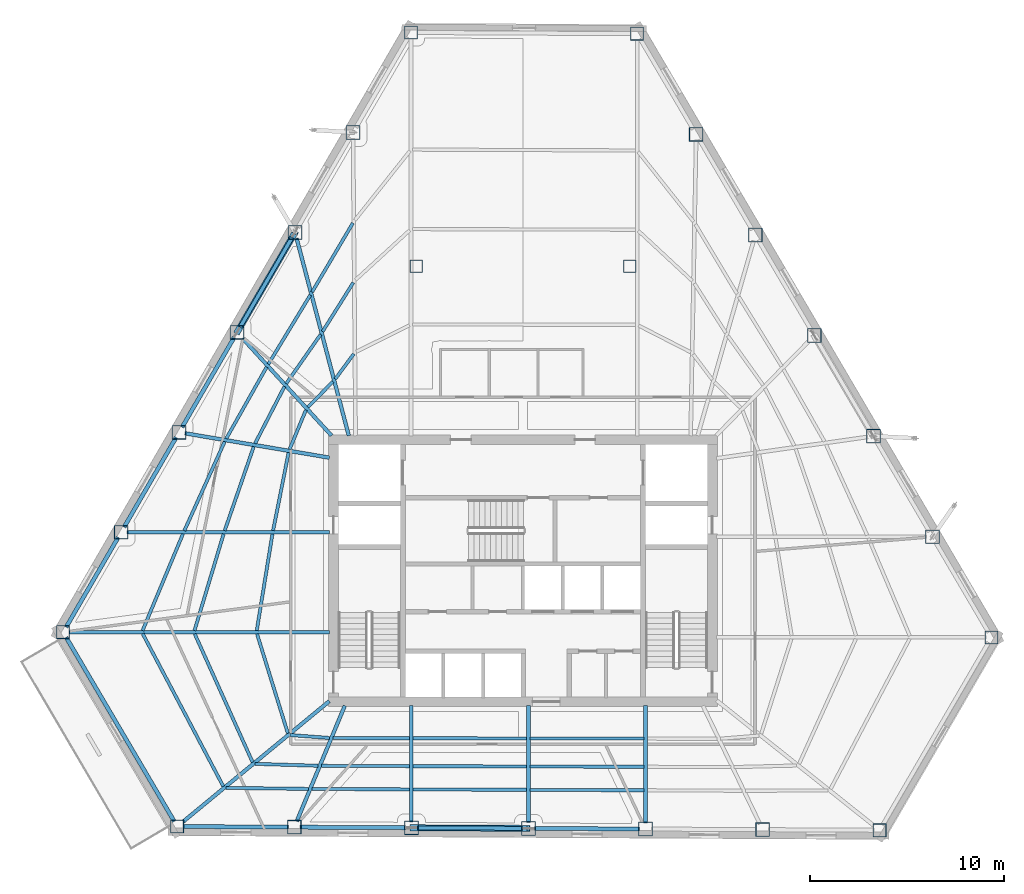
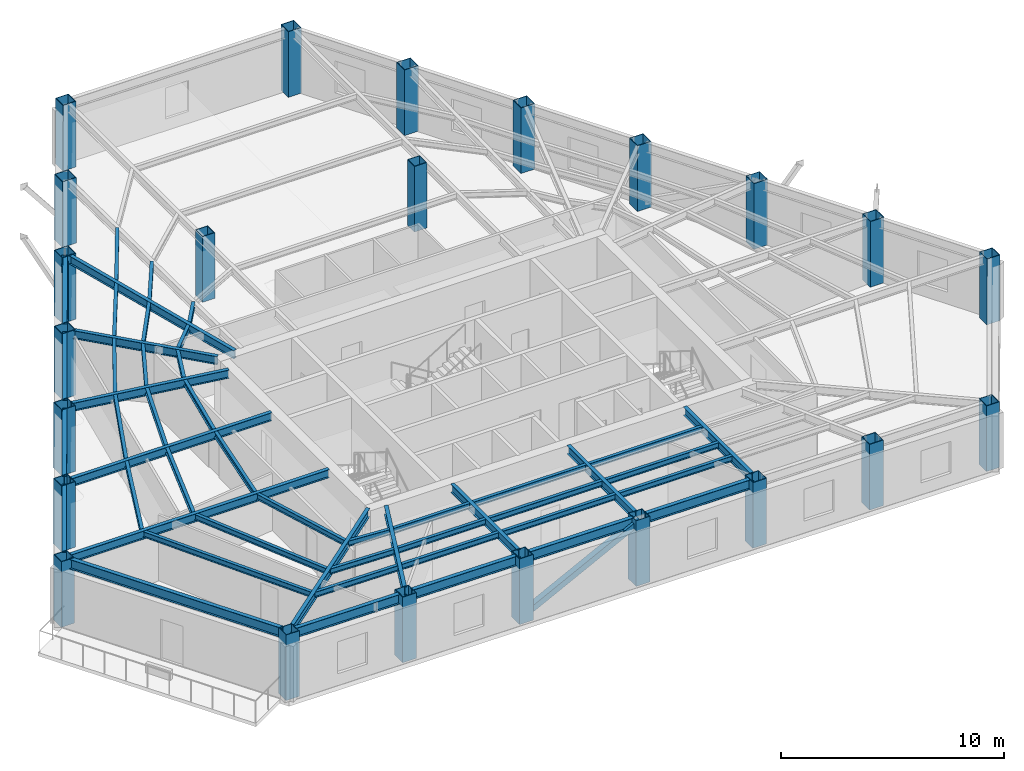
# One storey, part 1 of 13: 49 beams, 23 columns, 2 members.
"""IFC4 building model written with IfcOpenShell, lengths in metres."""

from ifc_helpers import new_model, si_unit, direction, frame, origin, origin_2d, place, context, subcontext, project, spatial, hollow_rectangle, i_section, extrude, material, material_profile, profile_set, type_object, element, save


model = new_model("IFC4")

# Units and contexts
model_context = context("Model", 3, precision=1e-05, world=origin(), true_north=direction((0.0, 1.0)))
body_context = subcontext(model_context, "Body", "Model", "MODEL_VIEW")
ifc_project = project(units=[si_unit("LENGTHUNIT", "METRE"), si_unit("AREAUNIT", "SQUARE_METRE"), si_unit("VOLUMEUNIT", "CUBIC_METRE"), si_unit("PLANEANGLEUNIT", "RADIAN"), si_unit("MASSUNIT", "GRAM", prefix="KILO")], contexts=[model_context])

# Site, building, storey
site_placement = place(None, origin())
site = spatial("IfcSite", under=ifc_project, at=site_placement, CompositionType="ELEMENT")
building_placement = place(site_placement, origin())
building = spatial("IfcBuilding", under=site, at=building_placement, Name="Kavelnor Concourse Tower", CompositionType="ELEMENT")
storey_placement = place(building_placement, frame((0.0, 0.0, 124.0)))
storey = spatial("IfcBuildingStorey", under=building, at=storey_placement, Name="L31", CompositionType="ELEMENT", Elevation=124.0)

# Columns
ifc_material = material(Name="Steel Grade 350", Category="steel")
ifc_material_profile_1 = material_profile(ifc_material, hollow_rectangle(XDim=0.679931640625, YDim=0.679931640625, WallThickness=0.030029296875, at=origin_2d()), Name="SHS 680x680x30")
ifc_profile_set_1 = profile_set([ifc_material_profile_1], Name="Steel Grade 350")
column_type_1 = type_object("IfcColumnType", Name="COL-FOLD-Z2", PredefinedType="COLUMN", material=ifc_profile_set_1)
for number, where, z_axis, x_axis, name in (
    (1, (32.225830078125, 43.853759765625, 0.0), (0.0, 0.0, 1.0), (1.0, 0.0, 0.0), "L31 Perimeter Corner-Fold Column F0-B0"),
    (2, (14.289794921875, 12.929443359375, 0.0), (0.0, 0.0, 1.0), (1.0, 0.0, 0.0), "L31 Perimeter Corner-Fold Column F0-B6"),
    (3, (20.172607421875, 2.910400390625, 0.0), (0.0, 0.0, 1.0), (1.0, 0.0, 0.0), "L31 Perimeter Corner-Fold Column F1-B0"),
    (4, (56.39453125, 2.716552734375, 0.0), (0.0, 0.0, 1.0), (1.0, 0.0, 0.0), "L31 Perimeter Corner-Fold Column F1-B6"),
    (5, (62.164306640625, 12.664306640625, 0.0), (0.0, 0.0, 1.0), (1.0, 0.0, 0.0), "L31 Perimeter Corner-Fold Column F2-B0"),
    (6, (43.887451171875, 43.79150390625, 0.0), (0.0, 0.0, 1.0), (1.0, 0.0, 0.0), "L31 Perimeter Corner-Fold Column F2-B6"),
):
    element("IfcColumn", number, at=place(storey_placement, frame(where, z_axis=z_axis, x_axis=x_axis)), inside=storey, type_object=column_type_1, Name=name, PredefinedType="COLUMN", context=body_context, shape_type="SweptSolid", body=[
        extrude(hollow_rectangle(XDim=0.679931640625, YDim=0.679931640625, WallThickness=0.030029296875, at=origin_2d()), origin(), (0.0, 0.0, 1.0), 3.60009765625),
    ])
ifc_material_profile_2 = material_profile(ifc_material, hollow_rectangle(XDim=0.719970703125, YDim=0.719970703125, WallThickness=0.031982421875, at=origin_2d()), Name="SHS 720x720x32")
ifc_profile_set_2 = profile_set([ifc_material_profile_2], Name="Steel Grade 350")
column_type_2 = type_object("IfcColumnType", Name="COL-TUBE-Z2", PredefinedType="COLUMN", material=ifc_profile_set_2)
for number, where, z_axis, x_axis, name in (
    (7, (29.236328125, 38.69970703125, 0.0), (0.0, 0.0, 1.0), (1.0, 0.0, 0.0), "L31 Perimeter Framed-Tube Column F0-B1"),
    (8, (26.2470703125, 33.545654296875, 0.0), (0.0, 0.0, 1.0), (1.0, 0.0, 0.0), "L31 Perimeter Framed-Tube Column F0-B2"),
    (9, (23.2578125, 28.3916015625, 0.0), (0.0, 0.0, 1.0), (1.0, 0.0, 0.0), "L31 Perimeter Framed-Tube Column F0-B3"),
    (10, (20.268310546875, 23.237548828125, 0.0), (0.0, 0.0, 1.0), (1.0, 0.0, 0.0), "L31 Perimeter Framed-Tube Column F0-B4"),
    (11, (17.279052734375, 18.08349609375, 0.0), (0.0, 0.0, 1.0), (1.0, 0.0, 0.0), "L31 Perimeter Framed-Tube Column F0-B5"),
    (12, (26.20947265625, 2.8779296875, 0.0), (0.0, 0.0, 1.0), (1.0, 0.0, 0.0), "L31 Perimeter Framed-Tube Column F1-B1"),
    (13, (32.24658203125, 2.845703125, 0.0), (0.0, 0.0, 1.0), (1.0, 0.0, 0.0), "L31 Perimeter Framed-Tube Column F1-B2"),
    (14, (38.283447265625, 2.8134765625, 0.0), (0.0, 0.0, 1.0), (1.0, 0.0, 0.0), "L31 Perimeter Framed-Tube Column F1-B3"),
    (15, (44.320556640625, 2.781005859375, 0.0), (0.0, 0.0, 1.0), (1.0, 0.0, 0.0), "L31 Perimeter Framed-Tube Column F1-B4"),
    (16, (50.357666015625, 2.748779296875, 0.0), (0.0, 0.0, 1.0), (1.0, 0.0, 0.0), "L31 Perimeter Framed-Tube Column F1-B5"),
    (17, (59.1181640625, 17.852294921875, 0.0), (0.0, 0.0, 1.0), (1.0, 0.0, 0.0), "L31 Perimeter Framed-Tube Column F2-B1"),
    (18, (56.072021484375, 23.0400390625, 0.0), (0.0, 0.0, 1.0), (1.0, 0.0, 0.0), "L31 Perimeter Framed-Tube Column F2-B2"),
    (19, (53.02587890625, 28.227783203125, 0.0), (0.0, 0.0, 1.0), (1.0, 0.0, 0.0), "L31 Perimeter Framed-Tube Column F2-B3"),
    (20, (49.979736328125, 33.415771484375, 0.0), (0.0, 0.0, 1.0), (1.0, 0.0, 0.0), "L31 Perimeter Framed-Tube Column F2-B4"),
    (21, (46.93359375, 38.603515625, 0.0), (0.0, 0.0, 1.0), (1.0, 0.0, 0.0), "L31 Perimeter Framed-Tube Column F2-B5"),
):
    element("IfcColumn", number, at=place(storey_placement, frame(where, z_axis=z_axis, x_axis=x_axis)), inside=storey, type_object=column_type_2, Name=name, PredefinedType="COLUMN", context=body_context, shape_type="SweptSolid", body=[
        extrude(hollow_rectangle(XDim=0.719970703125, YDim=0.719970703125, WallThickness=0.031982421875, at=origin_2d()), origin(), (0.0, 0.0, 1.0), 3.60009765625),
    ])
ifc_material_profile_3 = material_profile(ifc_material, hollow_rectangle(XDim=0.639892578125, YDim=0.639892578125, WallThickness=0.028076171875, at=origin_2d()), Name="SHS 640x640x28")
ifc_profile_set_3 = profile_set([ifc_material_profile_3], Name="Steel Grade 350")
column_type_3 = type_object("IfcColumnType", Name="COL-TUBE-Z3", PredefinedType="COLUMN", material=ifc_profile_set_3)
for number, where, z_axis, x_axis, name in (
    (22, (32.5, 31.800048828125, 0.0), (0.0, 0.0, 1.0), (1.0, 0.0, 0.0), "L31 North Interior Gravity Column BC-NW"),
    (23, (43.5, 31.800048828125, 0.0), (0.0, 0.0, 1.0), (1.0, 0.0, 0.0), "L31 North Interior Gravity Column BC-NE"),
):
    element("IfcColumn", number, at=place(storey_placement, frame(where, z_axis=z_axis, x_axis=x_axis)), inside=storey, type_object=column_type_3, Name=name, PredefinedType="COLUMN", context=body_context, shape_type="SweptSolid", body=[
        extrude(hollow_rectangle(XDim=0.639892578125, YDim=0.639892578125, WallThickness=0.028076171875, at=origin_2d()), origin(), (0.0, 0.0, 1.0), 3.60009765625),
    ])

# Beams
ifc_material_profile_4 = material_profile(ifc_material, i_section(OverallWidth=0.166015625, OverallDepth=0.306884765625, WebThickness=0.006591796875, FlangeThickness=0.01171875, at=origin_2d()), Name="310UB46")
ifc_profile_set_4 = profile_set([ifc_material_profile_4], Name="Steel Grade 350")
beam_type_1 = type_object("IfcBeamType", Name="BM-JOIST-310", PredefinedType="JOIST", material=ifc_profile_set_4)
beam_1_placement = place(storey_placement, frame((24.285888671875, 12.844482421875, 3.446533203125), z_axis=(0.296316228151, -0.955089887359, 0.0), x_axis=(0.955089887359, 0.296316228151, 0.0)))
element("IfcBeam", 24, at=beam_1_placement, inside=storey, type_object=beam_type_1, Name="L31 Secondary Composite Joist 01-1", PredefinedType="JOIST", context=body_context, shape_type="SweptSolid", body=[
    extrude(i_section(OverallWidth=0.166015625, OverallDepth=0.306884765625, WebThickness=0.006591796875, FlangeThickness=0.01171875, at=origin_2d()), origin(), (0.0, 0.0, 1.0), 5.366943359375),
])
beam_2_placement = place(storey_placement, frame((21.07275390625, 12.848388671875, 3.446533203125), z_axis=(0.411046427218, -0.91161441118, 0.0), x_axis=(0.91161441118, 0.411046427218, 0.0)))
element("IfcBeam", 25, at=beam_2_placement, inside=storey, type_object=beam_type_1, Name="L31 Secondary Composite Joist 01-2", PredefinedType="JOIST", context=body_context, shape_type="SweptSolid", body=[
    extrude(i_section(OverallWidth=0.166015625, OverallDepth=0.306884765625, WebThickness=0.006591796875, FlangeThickness=0.01171875, at=origin_2d()), origin(), (0.0, 0.0, 1.0), 7.26513671875),
])
beam_3_placement = place(storey_placement, frame((18.391845703125, 12.8505859375, 3.446533203125), z_axis=(0.467041713759, -0.884235284079, 0.0), x_axis=(0.884235284079, 0.467041713759, 0.0)))
element("IfcBeam", 26, at=beam_3_placement, inside=storey, type_object=beam_type_1, Name="L31 Secondary Composite Joist 01-3", PredefinedType="JOIST", context=body_context, shape_type="SweptSolid", body=[
    extrude(i_section(OverallWidth=0.166015625, OverallDepth=0.306884765625, WebThickness=0.006591796875, FlangeThickness=0.01171875, at=origin_2d()), origin(), (0.0, 0.0, 1.0), 8.899169921875),
])
beam_4_placement = place(storey_placement, frame((25.991455078125, 7.627197265625, 3.446533203125), z_axis=(0.997256013327, -0.074030020146, 0.0), x_axis=(0.074030020146, 0.997256013327, 0.0)))
element("IfcBeam", 27, at=beam_4_placement, inside=storey, type_object=beam_type_1, Name="L31 Secondary Composite Joist 02-1", PredefinedType="JOIST", context=body_context, shape_type="SweptSolid", body=[
    extrude(i_section(OverallWidth=0.166015625, OverallDepth=0.306884765625, WebThickness=0.006591796875, FlangeThickness=0.01171875, at=origin_2d()), origin(), (0.0, 0.0, 1.0), 2.044677734375),
])
beam_5_placement = place(storey_placement, frame((24.1845703125, 6.141357421875, 3.446533203125), z_axis=(0.999537867919, -0.030398200534, 0.0), x_axis=(0.030398200534, 0.999537867919, 0.0)))
element("IfcBeam", 28, at=beam_5_placement, inside=storey, type_object=beam_type_1, Name="L31 Secondary Composite Joist 02-2", PredefinedType="JOIST", context=body_context, shape_type="SweptSolid", body=[
    extrude(i_section(OverallWidth=0.166015625, OverallDepth=0.306884765625, WebThickness=0.006591796875, FlangeThickness=0.01171875, at=origin_2d()), origin(), (0.0, 0.0, 1.0), 3.252685546875),
])
beam_6_placement = place(storey_placement, frame((22.6787109375, 4.90185546875, 3.446533203125), z_axis=(0.999925554062, -0.012201898769, 0.0), x_axis=(0.012201898769, 0.999925554062, 0.0)))
element("IfcBeam", 29, at=beam_6_placement, inside=storey, type_object=beam_type_1, Name="L31 Secondary Composite Joist 02-3", PredefinedType="JOIST", context=body_context, shape_type="SweptSolid", body=[
    extrude(i_section(OverallWidth=0.166015625, OverallDepth=0.306884765625, WebThickness=0.006591796875, FlangeThickness=0.01171875, at=origin_2d()), origin(), (0.0, 0.0, 1.0), 4.26171875),
])
beam_7_placement = place(storey_placement, frame((28.208251953125, 7.468994140625, 3.446533203125), z_axis=(0.999998392975, -0.001792776545, 0.0), x_axis=(0.001792776545, 0.999998392975, 0.0)))
element("IfcBeam", 30, at=beam_7_placement, inside=storey, type_object=beam_type_1, Name="L31 Secondary Composite Joist 03-1", PredefinedType="JOIST", context=body_context, shape_type="SweptSolid", body=[
    extrude(i_section(OverallWidth=0.166015625, OverallDepth=0.306884765625, WebThickness=0.006591796875, FlangeThickness=0.01171875, at=origin_2d()), origin(), (0.0, 0.0, 1.0), 3.94921875),
])
beam_8_placement = place(storey_placement, frame((27.61376953125, 6.03955078125, 3.446533203125), z_axis=(0.999993519986, -0.003599998164, 0.0), x_axis=(0.003599998164, 0.999993519986, 0.0)))
element("IfcBeam", 31, at=beam_8_placement, inside=storey, type_object=beam_type_1, Name="L31 Secondary Composite Joist 03-2", PredefinedType="JOIST", context=body_context, shape_type="SweptSolid", body=[
    extrude(i_section(OverallWidth=0.166015625, OverallDepth=0.306884765625, WebThickness=0.006591796875, FlangeThickness=0.01171875, at=origin_2d()), origin(), (0.0, 0.0, 1.0), 4.543701171875),
])
beam_9_placement = place(storey_placement, frame((27.118408203125, 4.848388671875, 3.446533203125), z_axis=(0.999988728144, -0.004748008496, 0.0), x_axis=(0.004748008496, 0.999988728144, 0.0)))
element("IfcBeam", 32, at=beam_9_placement, inside=storey, type_object=beam_type_1, Name="L31 Secondary Composite Joist 03-3", PredefinedType="JOIST", context=body_context, shape_type="SweptSolid", body=[
    extrude(i_section(OverallWidth=0.166015625, OverallDepth=0.306884765625, WebThickness=0.006591796875, FlangeThickness=0.01171875, at=origin_2d()), origin(), (0.0, 0.0, 1.0), 5.0390625),
])
for number, where, z_axis, x_axis, name in (
    (33, (32.33544921875, 7.46142578125, 3.446533203125), (0.999998874908, -0.001500060815, 0.0), (0.001500060815, 0.999998874908, 0.0), "L31 Secondary Composite Joist 04-1"),
    (34, (32.33544921875, 6.022705078125, 3.446533203125), (0.999996102997, -0.002791772111, 0.0), (0.002791772111, 0.999996102997, 0.0), "L31 Secondary Composite Joist 04-2"),
    (35, (32.33544921875, 4.82373046875, 3.446533203125), (0.999992652246, -0.003833464895, 0.0), (0.003833464895, 0.999992652246, 0.0), "L31 Secondary Composite Joist 04-3"),
    (36, (38.37255859375, 7.452392578125, 3.446533203125), (0.999998874908, -0.001500060815, 0.0), (0.001500060815, 0.999998874908, 0.0), "L31 Secondary Composite Joist 05-1"),
    (37, (38.37255859375, 6.005859375, 3.446533203125), (0.999996102997, -0.002791772111, 0.0), (0.002791772111, 0.999996102997, 0.0), "L31 Secondary Composite Joist 05-2"),
    (38, (38.37255859375, 4.800537109375, 3.446533203125), (0.999992491646, -0.003875132369, 0.0), (0.003875132369, 0.999992491646, 0.0), "L31 Secondary Composite Joist 05-3"),
):
    element("IfcBeam", number, at=place(storey_placement, frame(where, z_axis=z_axis, x_axis=x_axis)), inside=storey, type_object=beam_type_1, Name=name, PredefinedType="JOIST", context=body_context, shape_type="SweptSolid", body=[
        extrude(i_section(OverallWidth=0.166015625, OverallDepth=0.306884765625, WebThickness=0.006591796875, FlangeThickness=0.01171875, at=origin_2d()), origin(), (0.0, 0.0, 1.0), 5.859130859375),
    ])
beam_10_placement = place(storey_placement, frame((29.279296875, 27.283447265625, 3.446533203125), z_axis=(-0.594425048683, -0.804151019087, 0.0), x_axis=(0.804151019087, -0.594425048683, 0.0)))
element("IfcBeam", 39, at=beam_10_placement, inside=storey, type_object=beam_type_1, Name="L31 Secondary Composite Joist 17-1", PredefinedType="JOIST", context=body_context, shape_type="SweptSolid", body=[
    extrude(i_section(OverallWidth=0.166015625, OverallDepth=0.306884765625, WebThickness=0.006591796875, FlangeThickness=0.01171875, at=origin_2d()), origin(), (0.0, 0.0, 1.0), 1.61572265625),
])
beam_11_placement = place(storey_placement, frame((29.25390625, 30.961181640625, 3.446533203125), z_axis=(-0.531526729564, -0.847041519501, 0.0), x_axis=(0.847041519501, -0.531526729564, 0.0)))
element("IfcBeam", 40, at=beam_11_placement, inside=storey, type_object=beam_type_1, Name="L31 Secondary Composite Joist 17-2", PredefinedType="JOIST", context=body_context, shape_type="SweptSolid", body=[
    extrude(i_section(OverallWidth=0.166015625, OverallDepth=0.306884765625, WebThickness=0.006591796875, FlangeThickness=0.01171875, at=origin_2d()), origin(), (0.0, 0.0, 1.0), 2.986083984375),
])
beam_12_placement = place(storey_placement, frame((29.22998046875, 34.028076171875, 3.446533203125), z_axis=(-0.508926288495, -0.860810102682, 0.0), x_axis=(0.860810102682, -0.508926288495, 0.0)))
element("IfcBeam", 41, at=beam_12_placement, inside=storey, type_object=beam_type_1, Name="L31 Secondary Composite Joist 17-3", PredefinedType="JOIST", context=body_context, shape_type="SweptSolid", body=[
    extrude(i_section(OverallWidth=0.166015625, OverallDepth=0.306884765625, WebThickness=0.006591796875, FlangeThickness=0.01171875, at=origin_2d()), origin(), (0.0, 0.0, 1.0), 4.1337890625),
])
beam_13_placement = place(storey_placement, frame((28.203369140625, 25.849365234375, 3.446533203125), z_axis=(-0.703195258332, -0.710996785267, 0.0), x_axis=(0.710996785267, -0.703195258332, 0.0)))
element("IfcBeam", 42, at=beam_13_placement, inside=storey, type_object=beam_type_1, Name="L31 Secondary Composite Joist 18-1", PredefinedType="JOIST", context=body_context, shape_type="SweptSolid", body=[
    extrude(i_section(OverallWidth=0.166015625, OverallDepth=0.306884765625, WebThickness=0.006591796875, FlangeThickness=0.01171875, at=origin_2d()), origin(), (0.0, 0.0, 1.0), 1.846435546875),
])
beam_14_placement = place(storey_placement, frame((27.568603515625, 28.28369140625, 3.446533203125), z_axis=(-0.573615880377, -0.819124423869, 0.0), x_axis=(0.819124423869, -0.573615880377, 0.0)))
element("IfcBeam", 43, at=beam_14_placement, inside=storey, type_object=beam_type_1, Name="L31 Secondary Composite Joist 18-2", PredefinedType="JOIST", context=body_context, shape_type="SweptSolid", body=[
    extrude(i_section(OverallWidth=0.166015625, OverallDepth=0.306884765625, WebThickness=0.006591796875, FlangeThickness=0.01171875, at=origin_2d()), origin(), (0.0, 0.0, 1.0), 3.0947265625),
])
beam_15_placement = place(storey_placement, frame((27.03466796875, 30.317138671875, 3.446533203125), z_axis=(-0.518950621912, -0.85480421853, 0.0), x_axis=(0.85480421853, -0.518950621912, 0.0)))
element("IfcBeam", 44, at=beam_15_placement, inside=storey, type_object=beam_type_1, Name="L31 Secondary Composite Joist 18-3", PredefinedType="JOIST", context=body_context, shape_type="SweptSolid", body=[
    extrude(i_section(OverallWidth=0.166015625, OverallDepth=0.306884765625, WebThickness=0.006591796875, FlangeThickness=0.01171875, at=origin_2d()), origin(), (0.0, 0.0, 1.0), 4.168212890625),
])
beam_16_placement = place(storey_placement, frame((26.808349609375, 24.391357421875, 3.446533203125), z_axis=(-0.383153902593, -0.923684516991, 0.0), x_axis=(0.923684516991, -0.383153902593, 0.0)))
element("IfcBeam", 45, at=beam_16_placement, inside=storey, type_object=beam_type_1, Name="L31 Secondary Composite Joist 19-1", PredefinedType="JOIST", context=body_context, shape_type="SweptSolid", body=[
    extrude(i_section(OverallWidth=0.166015625, OverallDepth=0.306884765625, WebThickness=0.006591796875, FlangeThickness=0.01171875, at=origin_2d()), origin(), (0.0, 0.0, 1.0), 2.195068359375),
])
beam_17_placement = place(storey_placement, frame((25.701416015625, 25.596923828125, 3.446533203125), z_axis=(-0.458825555468, -0.888526369699, 0.0), x_axis=(0.888526369699, -0.458825555468, 0.0)))
element("IfcBeam", 46, at=beam_17_placement, inside=storey, type_object=beam_type_1, Name="L31 Secondary Composite Joist 19-2", PredefinedType="JOIST", context=body_context, shape_type="SweptSolid", body=[
    extrude(i_section(OverallWidth=0.166015625, OverallDepth=0.306884765625, WebThickness=0.006591796875, FlangeThickness=0.01171875, at=origin_2d()), origin(), (0.0, 0.0, 1.0), 3.302734375),
])
beam_18_placement = place(storey_placement, frame((24.78173828125, 26.6005859375, 3.446533203125), z_axis=(-0.491719147261, -0.870753857423, 0.0), x_axis=(0.870753857423, -0.491719147261, 0.0)))
element("IfcBeam", 47, at=beam_18_placement, inside=storey, type_object=beam_type_1, Name="L31 Secondary Composite Joist 19-3", PredefinedType="JOIST", context=body_context, shape_type="SweptSolid", body=[
    extrude(i_section(OverallWidth=0.166015625, OverallDepth=0.306884765625, WebThickness=0.006591796875, FlangeThickness=0.01171875, at=origin_2d()), origin(), (0.0, 0.0, 1.0), 4.235595703125),
])
beam_19_placement = place(storey_placement, frame((25.916015625, 22.1943359375, 3.446533203125), z_axis=(-0.19548667388, -0.980706357854, 0.0), x_axis=(0.980706357854, -0.19548667388, 0.0)))
element("IfcBeam", 48, at=beam_19_placement, inside=storey, type_object=beam_type_1, Name="L31 Secondary Composite Joist 20-1", PredefinedType="JOIST", context=body_context, shape_type="SweptSolid", body=[
    extrude(i_section(OverallWidth=0.166015625, OverallDepth=0.306884765625, WebThickness=0.006591796875, FlangeThickness=0.01171875, at=origin_2d()), origin(), (0.0, 0.0, 1.0), 4.1025390625),
])
beam_20_placement = place(storey_placement, frame((24.1162109375, 22.499267578125, 3.446533203125), z_axis=(-0.326548807329, -0.945180340693, 0.0), x_axis=(0.945180340693, -0.326548807329, 0.0)))
element("IfcBeam", 49, at=beam_20_placement, inside=storey, type_object=beam_type_1, Name="L31 Secondary Composite Joist 20-2", PredefinedType="JOIST", context=body_context, shape_type="SweptSolid", body=[
    extrude(i_section(OverallWidth=0.166015625, OverallDepth=0.306884765625, WebThickness=0.006591796875, FlangeThickness=0.01171875, at=origin_2d()), origin(), (0.0, 0.0, 1.0), 4.5830078125),
])
beam_21_placement = place(storey_placement, frame((22.618408203125, 22.753662109375, 3.446533203125), z_axis=(-0.412674467708, -0.910878577914, 0.0), x_axis=(0.910878577914, -0.412674467708, 0.0)))
element("IfcBeam", 50, at=beam_21_placement, inside=storey, type_object=beam_type_1, Name="L31 Secondary Composite Joist 20-3", PredefinedType="JOIST", context=body_context, shape_type="SweptSolid", body=[
    extrude(i_section(OverallWidth=0.166015625, OverallDepth=0.306884765625, WebThickness=0.006591796875, FlangeThickness=0.01171875, at=origin_2d()), origin(), (0.0, 0.0, 1.0), 5.0380859375),
])
beam_22_placement = place(storey_placement, frame((25.082275390625, 17.99560546875, 3.446533203125), z_axis=(-0.160315898106, -0.987065759114, 0.0), x_axis=(0.987065759114, -0.160315898106, 0.0)))
element("IfcBeam", 51, at=beam_22_placement, inside=storey, type_object=beam_type_1, Name="L31 Secondary Composite Joist 21-1", PredefinedType="JOIST", context=body_context, shape_type="SweptSolid", body=[
    extrude(i_section(OverallWidth=0.166015625, OverallDepth=0.306884765625, WebThickness=0.006591796875, FlangeThickness=0.01171875, at=origin_2d()), origin(), (0.0, 0.0, 1.0), 5.043701171875),
])
beam_23_placement = place(storey_placement, frame((22.56494140625, 17.998291015625, 3.446533203125), z_axis=(-0.288728829739, -0.957410916418, 0.0), x_axis=(0.957410916418, -0.288728829739, 0.0)))
element("IfcBeam", 52, at=beam_23_placement, inside=storey, type_object=beam_type_1, Name="L31 Secondary Composite Joist 21-2", PredefinedType="JOIST", context=body_context, shape_type="SweptSolid", body=[
    extrude(i_section(OverallWidth=0.166015625, OverallDepth=0.306884765625, WebThickness=0.006591796875, FlangeThickness=0.01171875, at=origin_2d()), origin(), (0.0, 0.0, 1.0), 5.205322265625),
])
beam_24_placement = place(storey_placement, frame((20.46826171875, 18.00146484375, 3.446533203125), z_axis=(-0.385336563576, -0.922776101105, 0.0), x_axis=(0.922776101105, -0.385336563576, 0.0)))
element("IfcBeam", 53, at=beam_24_placement, inside=storey, type_object=beam_type_1, Name="L31 Secondary Composite Joist 21-3", PredefinedType="JOIST", context=body_context, shape_type="SweptSolid", body=[
    extrude(i_section(OverallWidth=0.166015625, OverallDepth=0.306884765625, WebThickness=0.006591796875, FlangeThickness=0.01171875, at=origin_2d()), origin(), (0.0, 0.0, 1.0), 5.407470703125),
])
ifc_material_profile_5 = material_profile(ifc_material, i_section(OverallWidth=0.18994140625, OverallDepth=0.4541015625, WebThickness=0.008544921875, FlangeThickness=0.0126953125, at=origin_2d()), Name="460UB67")
ifc_profile_set_5 = profile_set([ifc_material_profile_5], Name="Steel Grade 350")
beam_type_2 = type_object("IfcBeamType", Name="BM-PRIMARY-460", PredefinedType="BEAM", material=ifc_profile_set_5)
beam_25_placement = place(storey_placement, frame((29.02001953125, 23.061279296875, 3.373046875), z_axis=(-0.255678497841, 0.966761866098, 0.0), x_axis=(-0.966761866098, -0.255678497841, 0.0)))
element("IfcBeam", 54, at=beam_25_placement, inside=storey, type_object=beam_type_2, Name="L31 Primary Floor Girder F0-B2", PredefinedType="BEAM", context=body_context, shape_type="SweptSolid", body=[
    extrude(i_section(OverallWidth=0.18994140625, OverallDepth=0.4541015625, WebThickness=0.008544921875, FlangeThickness=0.0126953125, at=origin_2d()), origin(), (0.0, 0.0, 1.0), 10.533203125),
])
beam_26_placement = place(storey_placement, frame((28.126220703125, 23.070556640625, 3.373046875), z_axis=(-0.675025953093, 0.737793983881, 0.0), x_axis=(-0.737793983881, -0.675025953093, 0.0)))
element("IfcBeam", 55, at=beam_26_placement, inside=storey, type_object=beam_type_2, Name="L31 Primary Floor Girder F0-B3", PredefinedType="BEAM", context=body_context, shape_type="SweptSolid", body=[
    extrude(i_section(OverallWidth=0.18994140625, OverallDepth=0.4541015625, WebThickness=0.008544921875, FlangeThickness=0.0126953125, at=origin_2d()), origin(), (0.0, 0.0, 1.0), 6.791259765625),
])
beam_27_placement = place(storey_placement, frame((28.019287109375, 21.9296875, 3.373046875), z_axis=(-0.986061819165, 0.166379352041, 0.0), x_axis=(-0.166379352041, -0.986061819165, 0.0)))
element("IfcBeam", 56, at=beam_27_placement, inside=storey, type_object=beam_type_2, Name="L31 Primary Floor Girder F0-B4", PredefinedType="BEAM", context=body_context, shape_type="SweptSolid", body=[
    extrude(i_section(OverallWidth=0.18994140625, OverallDepth=0.4541015625, WebThickness=0.008544921875, FlangeThickness=0.0126953125, at=origin_2d()), origin(), (0.0, 0.0, 1.0), 7.555419921875),
])
beam_28_placement = place(storey_placement, frame((28.02001953125, 18.08349609375, 3.373046875), z_axis=(-1.0, 0.0, 0.0), x_axis=(0.0, -1.0, 0.0)))
element("IfcBeam", 57, at=beam_28_placement, inside=storey, type_object=beam_type_2, Name="L31 Primary Floor Girder F0-B5", PredefinedType="BEAM", context=body_context, shape_type="SweptSolid", body=[
    extrude(i_section(OverallWidth=0.18994140625, OverallDepth=0.4541015625, WebThickness=0.008544921875, FlangeThickness=0.0126953125, at=origin_2d()), origin(), (0.0, 0.0, 1.0), 10.44091796875),
])
beam_29_placement = place(storey_placement, frame((28.02001953125, 12.929443359375, 3.373046875), z_axis=(-1.0, 0.0, 0.0), x_axis=(0.0, -1.0, 0.0)))
element("IfcBeam", 58, at=beam_29_placement, inside=storey, type_object=beam_type_2, Name="L31 Primary Floor Girder F0-B6", PredefinedType="BEAM", context=body_context, shape_type="SweptSolid", body=[
    extrude(i_section(OverallWidth=0.18994140625, OverallDepth=0.4541015625, WebThickness=0.008544921875, FlangeThickness=0.0126953125, at=origin_2d()), origin(), (0.0, 0.0, 1.0), 13.430419921875),
])
beam_30_placement = place(storey_placement, frame((28.010986328125, 9.371337890625, 3.373046875), z_axis=(-0.771643423161, -0.636055365116, 0.0), x_axis=(0.636055365116, -0.771643423161, 0.0)))
element("IfcBeam", 59, at=beam_30_placement, inside=storey, type_object=beam_type_2, Name="L31 Primary Floor Girder F1-B0", PredefinedType="BEAM", context=body_context, shape_type="SweptSolid", body=[
    extrude(i_section(OverallWidth=0.18994140625, OverallDepth=0.4541015625, WebThickness=0.008544921875, FlangeThickness=0.0126953125, at=origin_2d()), origin(), (0.0, 0.0, 1.0), 9.757568359375),
])
beam_31_placement = place(storey_placement, frame((28.81298828125, 9.136962890625, 3.373046875), z_axis=(-0.384048257107, -0.923313021793, 0.0), x_axis=(0.923313021793, -0.384048257107, 0.0)))
element("IfcBeam", 60, at=beam_31_placement, inside=storey, type_object=beam_type_2, Name="L31 Primary Floor Girder F1-B1", PredefinedType="BEAM", context=body_context, shape_type="SweptSolid", body=[
    extrude(i_section(OverallWidth=0.18994140625, OverallDepth=0.4541015625, WebThickness=0.008544921875, FlangeThickness=0.0126953125, at=origin_2d()), origin(), (0.0, 0.0, 1.0), 6.450439453125),
])
beam_32_placement = place(storey_placement, frame((32.24658203125, 9.139892578125, 3.373046875), z_axis=(0.0, -1.0, 0.0), x_axis=(1.0, 0.0, 0.0)))
element("IfcBeam", 61, at=beam_32_placement, inside=storey, type_object=beam_type_2, Name="L31 Primary Floor Girder F1-B2", PredefinedType="BEAM", context=body_context, shape_type="SweptSolid", body=[
    extrude(i_section(OverallWidth=0.18994140625, OverallDepth=0.4541015625, WebThickness=0.008544921875, FlangeThickness=0.0126953125, at=origin_2d()), origin(), (0.0, 0.0, 1.0), 5.994140625),
])
beam_33_placement = place(storey_placement, frame((38.283447265625, 9.139892578125, 3.373046875), z_axis=(0.0, -1.0, 0.0), x_axis=(1.0, 0.0, 0.0)))
element("IfcBeam", 62, at=beam_33_placement, inside=storey, type_object=beam_type_2, Name="L31 Primary Floor Girder F1-B3", PredefinedType="BEAM", context=body_context, shape_type="SweptSolid", body=[
    extrude(i_section(OverallWidth=0.18994140625, OverallDepth=0.4541015625, WebThickness=0.008544921875, FlangeThickness=0.0126953125, at=origin_2d()), origin(), (0.0, 0.0, 1.0), 6.026611328125),
])
beam_34_placement = place(storey_placement, frame((44.320556640625, 9.139892578125, 3.373046875), z_axis=(0.0, -1.0, 0.0), x_axis=(1.0, 0.0, 0.0)))
element("IfcBeam", 63, at=beam_34_placement, inside=storey, type_object=beam_type_2, Name="L31 Primary Floor Girder F1-B4", PredefinedType="BEAM", context=body_context, shape_type="SweptSolid", body=[
    extrude(i_section(OverallWidth=0.18994140625, OverallDepth=0.4541015625, WebThickness=0.008544921875, FlangeThickness=0.0126953125, at=origin_2d()), origin(), (0.0, 0.0, 1.0), 6.058837890625),
])
ifc_material_profile_6 = material_profile(ifc_material, i_section(OverallWidth=0.208984375, OverallDepth=0.532958984375, WebThickness=0.01025390625, FlangeThickness=0.015625, at=origin_2d()), Name="530UB92")
ifc_profile_set_6 = profile_set([ifc_material_profile_6], Name="Steel Grade 350")
beam_type_3 = type_object("IfcBeamType", Name="BM-SPANDREL-Z2", PredefinedType="SPANDREL", material=ifc_profile_set_6)
beam_35_placement = place(storey_placement, frame((26.093994140625, 33.281982421875, 3.33349609375), z_axis=(-0.501683931098, -0.865051000391, 0.0), x_axis=(0.865051000391, -0.501683931098, 0.0)))
element("IfcBeam", 64, at=beam_35_placement, inside=storey, type_object=beam_type_3, Name="L31 Perimeter Tube Spandrel Beam F0-B2", PredefinedType="SPANDREL", context=body_context, shape_type="SweptSolid", body=[
    extrude(i_section(OverallWidth=0.208984375, OverallDepth=0.532958984375, WebThickness=0.01025390625, FlangeThickness=0.015625, at=origin_2d()), origin(), (0.0, 0.0, 1.0), 5.34814453125),
])
beam_36_placement = place(storey_placement, frame((23.104736328125, 28.127685546875, 3.33349609375), z_axis=(-0.501718089772, -0.865031189262, 0.0), x_axis=(0.865031189262, -0.501718089772, 0.0)))
element("IfcBeam", 65, at=beam_36_placement, inside=storey, type_object=beam_type_3, Name="L31 Perimeter Tube Spandrel Beam F0-B3", PredefinedType="SPANDREL", context=body_context, shape_type="SweptSolid", body=[
    extrude(i_section(OverallWidth=0.208984375, OverallDepth=0.532958984375, WebThickness=0.01025390625, FlangeThickness=0.015625, at=origin_2d()), origin(), (0.0, 0.0, 1.0), 5.348388671875),
])
beam_37_placement = place(storey_placement, frame((20.115478515625, 22.9736328125, 3.33349609375), z_axis=(-0.501772058541, -0.864999885126, 0.0), x_axis=(0.864999885126, -0.501772058541, 0.0)))
element("IfcBeam", 66, at=beam_37_placement, inside=storey, type_object=beam_type_3, Name="L31 Perimeter Tube Spandrel Beam F0-B4", PredefinedType="SPANDREL", context=body_context, shape_type="SweptSolid", body=[
    extrude(i_section(OverallWidth=0.208984375, OverallDepth=0.532958984375, WebThickness=0.01025390625, FlangeThickness=0.015625, at=origin_2d()), origin(), (0.0, 0.0, 1.0), 5.34814453125),
])
beam_38_placement = place(storey_placement, frame((17.1259765625, 17.819580078125, 3.33349609375), z_axis=(-0.501718089772, -0.865031189262, 0.0), x_axis=(0.865031189262, -0.501718089772, 0.0)))
element("IfcBeam", 67, at=beam_38_placement, inside=storey, type_object=beam_type_3, Name="L31 Perimeter Tube Spandrel Beam F0-B5", PredefinedType="SPANDREL", context=body_context, shape_type="SweptSolid", body=[
    extrude(i_section(OverallWidth=0.208984375, OverallDepth=0.532958984375, WebThickness=0.01025390625, FlangeThickness=0.015625, at=origin_2d()), origin(), (0.0, 0.0, 1.0), 5.348388671875),
])
for number, where, z_axis, x_axis, name in (
    (68, (20.4775390625, 2.90869140625, 3.33349609375), (0.999985671038, -0.005353290515, 0.0), (0.005353290515, 0.999985671038, 0.0), "L31 Perimeter Tube Spandrel Beam F1-B0"),
    (69, (26.514404296875, 2.87646484375, 3.33349609375), (0.999985671038, -0.005353290515, 0.0), (0.005353290515, 0.999985671038, 0.0), "L31 Perimeter Tube Spandrel Beam F1-B1"),
    (70, (32.551513671875, 2.843994140625, 3.33349609375), (0.999985671038, -0.005353290515, 0.0), (0.005353290515, 0.999985671038, 0.0), "L31 Perimeter Tube Spandrel Beam F1-B2"),
):
    element("IfcBeam", number, at=place(storey_placement, frame(where, z_axis=z_axis, x_axis=x_axis)), inside=storey, type_object=beam_type_3, Name=name, PredefinedType="SPANDREL", context=body_context, shape_type="SweptSolid", body=[
        extrude(i_section(OverallWidth=0.208984375, OverallDepth=0.532958984375, WebThickness=0.01025390625, FlangeThickness=0.015625, at=origin_2d()), origin(), (0.0, 0.0, 1.0), 5.427001953125),
    ])
beam_39_placement = place(storey_placement, frame((38.58837890625, 2.811767578125, 3.33349609375), z_axis=(0.999985672327, -0.005353049708, 0.0), x_axis=(0.005353049708, 0.999985672327, 0.0)))
element("IfcBeam", 71, at=beam_39_placement, inside=storey, type_object=beam_type_3, Name="L31 Perimeter Tube Spandrel Beam F1-B3", PredefinedType="SPANDREL", context=body_context, shape_type="SweptSolid", body=[
    extrude(i_section(OverallWidth=0.208984375, OverallDepth=0.532958984375, WebThickness=0.01025390625, FlangeThickness=0.015625, at=origin_2d()), origin(), (0.0, 0.0, 1.0), 5.42724609375),
])
beam_40_placement = place(storey_placement, frame((14.444091796875, 12.66650390625, 3.33349609375), z_axis=(0.506328934001, -0.862340426162, 0.0), x_axis=(0.862340426162, 0.506328934001, 0.0)))
element("IfcBeam", 72, at=beam_40_placement, inside=storey, type_object=beam_type_3, Name="L31 Chamfer Facet Spandrel Beam C1", PredefinedType="SPANDREL", context=body_context, shape_type="SweptSolid", body=[
    extrude(i_section(OverallWidth=0.208984375, OverallDepth=0.532958984375, WebThickness=0.01025390625, FlangeThickness=0.015625, at=origin_2d()), origin(), (0.0, 0.0, 1.0), 11.008544921875),
])

# Members
ifc_material_profile_7 = material_profile(ifc_material, hollow_rectangle(XDim=0.320068359375, YDim=0.320068359375, WallThickness=0.01806640625, at=origin_2d()), Name="SHS 320x320x18")
ifc_profile_set_7 = profile_set([ifc_material_profile_7], Name="Steel Grade 350")
member_type = type_object("IfcMemberType", Name="MBR-TUBE-DIAG-Z2", PredefinedType="BRACE", material=ifc_profile_set_7)
member_1_placement = place(storey_placement, frame((23.2578125, 28.3916015625, 0.219970703125), z_axis=(0.444654983294, 0.766670316263, 0.463139905419), x_axis=(-0.865037946923, 0.501706438451, 0.0)))
element("IfcMember", 73, at=member_1_placement, inside=storey, type_object=member_type, Name="L31 Framed-Tube Bracing Diagonal F0-B2", PredefinedType="BRACE", context=body_context, shape_type="SweptSolid", body=[
    extrude(hollow_rectangle(XDim=0.320068359375, YDim=0.320068359375, WallThickness=0.01806640625, at=origin_2d()), origin(), (0.0, 0.0, 1.0), 6.72265625),
])
member_2_placement = place(storey_placement, frame((32.24658203125, 2.845703125, 0.219970703125), z_axis=(0.88874717982, -0.004744393891, 0.458373146125), x_axis=(0.00533821811, 0.999985751612, 0.0)))
element("IfcMember", 74, at=member_2_placement, inside=storey, type_object=member_type, Name="L31 Framed-Tube Bracing Diagonal F1-B2", PredefinedType="BRACE", context=body_context, shape_type="SweptSolid", body=[
    extrude(hollow_rectangle(XDim=0.320068359375, YDim=0.320068359375, WallThickness=0.01806640625, at=origin_2d()), origin(), (0.0, 0.0, 1.0), 6.79248046875),
])

save(model, "model.ifc")
